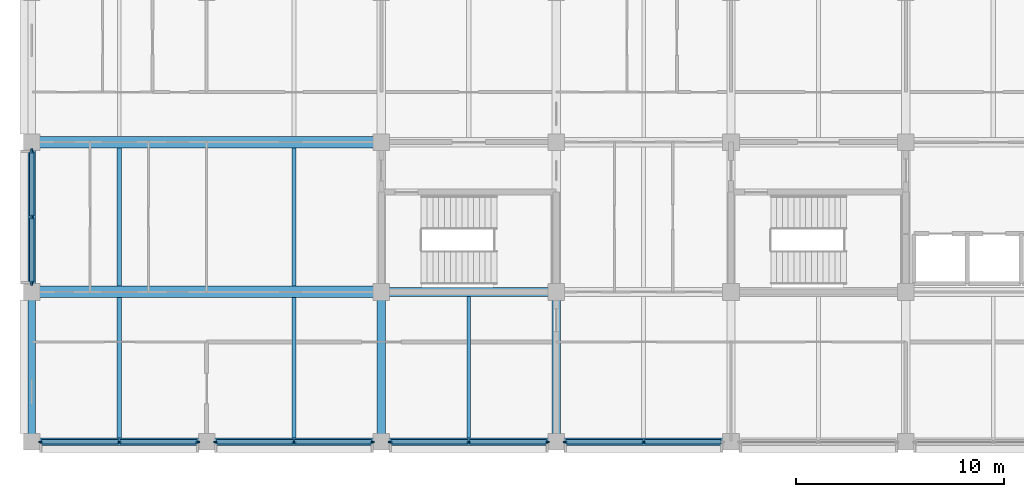
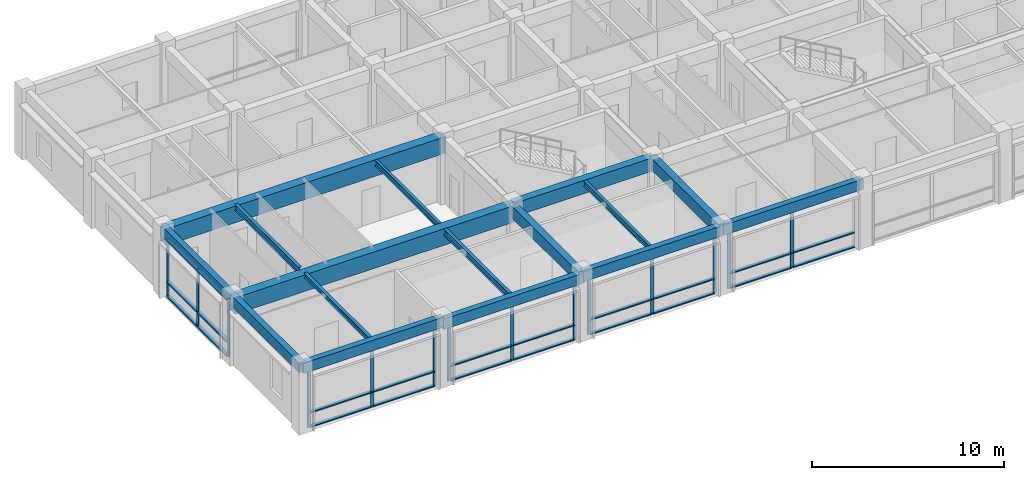
# One storey, part 2 of 30: 44 members, 16 beams, 5 elements without a shape of their own.
"""IFC4 building model written with IfcOpenShell, lengths in metres."""

from ifc_helpers import new_model, si_unit, direction, frame, origin, origin_2d, place, context, subcontext, project, spatial, rectangle, i_section, extrude, material, layer, layer_set, material_profile, profile_set, type_object, element, aggregate, save


model = new_model("IFC4")

# Units and contexts
model_context = context("Model", 3, precision=1e-05, world=origin(), true_north=direction((0.0, 1.0)))
body_context = subcontext(model_context, "Body", "Model", "MODEL_VIEW")
ifc_project = project(units=[si_unit("LENGTHUNIT", "METRE"), si_unit("AREAUNIT", "SQUARE_METRE"), si_unit("VOLUMEUNIT", "CUBIC_METRE"), si_unit("PLANEANGLEUNIT", "RADIAN"), si_unit("MASSUNIT", "GRAM", prefix="KILO")], contexts=[model_context])

# Site, building, storey
site_placement = place(None, origin())
site = spatial("IfcSite", under=ifc_project, at=site_placement, CompositionType="ELEMENT")
building_placement = place(site_placement, origin())
building = spatial("IfcBuilding", under=site, at=building_placement, Name="Chengyuan Square Courthouse", CompositionType="ELEMENT")
storey_placement = place(building_placement, frame((0.0, 0.0, 30.60009765625)))
storey = spatial("IfcBuildingStorey", under=building, at=storey_placement, Name="L07", CompositionType="ELEMENT", Elevation=30.60009765625)

# Beams
ifc_material_1 = material(Name="Concrete C40", Category="concrete")
ifc_material_profile_1 = material_profile(ifc_material_1, rectangle(XDim=0.449951171875, YDim=0.85009765625, at=origin_2d()), Name="RC-BM-450x850")
ifc_profile_set_1 = profile_set([ifc_material_profile_1], Name="Concrete C40")
beam_type_1 = type_object("IfcBeamType", Name="BM-01", PredefinedType="USERDEFINED", material=ifc_profile_set_1)
beam_1_placement = place(storey_placement, frame((42.0, 86.39990234375, 3.81494140625), z_axis=(1.0, 0.0, 0.0), x_axis=(0.0, 1.0, 0.0)))
element("IfcBeam", 1, at=beam_1_placement, inside=storey, type_object=beam_type_1, Name="Girder BM-L07-3592", ObjectType="GIRDER", PredefinedType="USERDEFINED", context=body_context, shape_type="SweptSolid", body=[
    extrude(rectangle(XDim=0.449951171875, YDim=0.85009765625, at=origin_2d()), origin(), (0.0, 0.0, 1.0), 8.39990234375),
])
ifc_material_profile_2 = material_profile(ifc_material_1, rectangle(XDim=0.39990234375, YDim=0.75, at=origin_2d()), Name="RC-BM-400x750")
ifc_profile_set_2 = profile_set([ifc_material_profile_2], Name="Concrete C40")
beam_type_2 = type_object("IfcBeamType", Name="BM-02", PredefinedType="USERDEFINED", material=ifc_profile_set_2)
for number, where, z_axis, x_axis, name in (
    (2, (42.0, 79.199951171875, 3.77490234375), (0.0, 1.0, 0.0), (-1.0, 0.0, 0.0), "Girder BM-L07-3656"),
    (3, (50.39990234375, 79.199951171875, 3.864990234375), (0.0, 1.0, 0.0), (-1.0, 0.0, 0.0), "Girder BM-L07-3660"),
):
    element("IfcBeam", number, at=place(storey_placement, frame(where, z_axis=z_axis, x_axis=x_axis)), inside=storey, type_object=beam_type_2, Name=name, ObjectType="GIRDER", PredefinedType="USERDEFINED", context=body_context, shape_type="SweptSolid", body=[
        extrude(rectangle(XDim=0.39990234375, YDim=0.75, at=origin_2d()), origin(), (0.0, 0.0, 1.0), 7.199951171875),
    ])
ifc_material_profile_3 = material_profile(ifc_material_1, rectangle(XDim=0.35009765625, YDim=0.64990234375, at=origin_2d()), Name="RC-BM-350x650")
ifc_profile_set_3 = profile_set([ifc_material_profile_3], Name="Concrete C40")
beam_type_3 = type_object("IfcBeamType", Name="BM-03", PredefinedType="SPANDREL", material=ifc_profile_set_3)
beam_2_placement = place(storey_placement, frame((25.199951171875, 79.199951171875, 3.974853515625), z_axis=(1.0, 0.0, 0.0), x_axis=(0.0, 1.0, 0.0)))
element("IfcBeam", 4, at=beam_2_placement, inside=storey, type_object=beam_type_3, Name="Girder BM-L07-3577", PredefinedType="SPANDREL", context=body_context, shape_type="SweptSolid", body=[
    extrude(rectangle(XDim=0.35009765625, YDim=0.64990234375, at=origin_2d()), origin(), (0.0, 0.0, 1.0), 8.400146484375),
])
for number, where, z_axis, x_axis, name in (
    (5, (33.60009765625, 79.199951171875, 3.824951171875), (1.0, 0.0, 0.0), (0.0, 1.0, 0.0), "Girder BM-L07-3578"),
    (6, (42.0, 79.199951171875, 3.914794921875), (1.0, 0.0, 0.0), (0.0, 1.0, 0.0), "Girder BM-L07-3579"),
):
    element("IfcBeam", number, at=place(storey_placement, frame(where, z_axis=z_axis, x_axis=x_axis)), inside=storey, type_object=beam_type_3, Name=name, PredefinedType="SPANDREL", context=body_context, shape_type="SweptSolid", body=[
        extrude(rectangle(XDim=0.35009765625, YDim=0.64990234375, at=origin_2d()), origin(), (0.0, 0.0, 1.0), 8.39990234375),
    ])
beam_3_placement = place(storey_placement, frame((50.39990234375, 79.199951171875, 3.914794921875), z_axis=(1.0, 0.0, 0.0), x_axis=(0.0, 1.0, 0.0)))
element("IfcBeam", 7, at=beam_3_placement, inside=storey, type_object=beam_type_3, Name="Girder BM-L07-3580", PredefinedType="SPANDREL", context=body_context, shape_type="SweptSolid", body=[
    extrude(rectangle(XDim=0.35009765625, YDim=0.64990234375, at=origin_2d()), origin(), (0.0, 0.0, 1.0), 8.400146484375),
])
beam_4_placement = place(storey_placement, frame((25.199951171875, 79.199951171875, 3.974853515625), z_axis=(0.0, 1.0, 0.0), x_axis=(-1.0, 0.0, 0.0)))
element("IfcBeam", 8, at=beam_4_placement, inside=storey, type_object=beam_type_3, Name="Girder BM-L07-3651", PredefinedType="SPANDREL", context=body_context, shape_type="SweptSolid", body=[
    extrude(rectangle(XDim=0.35009765625, YDim=0.64990234375, at=origin_2d()), origin(), (0.0, 0.0, 1.0), 7.199951171875),
])
beam_5_placement = place(storey_placement, frame((25.199951171875, 86.39990234375, 3.974853515625), z_axis=(0.0, 1.0, 0.0), x_axis=(-1.0, 0.0, 0.0)))
element("IfcBeam", 9, at=beam_5_placement, inside=storey, type_object=beam_type_3, Name="Girder BM-L07-3652", PredefinedType="SPANDREL", context=body_context, shape_type="SweptSolid", body=[
    extrude(rectangle(XDim=0.35009765625, YDim=0.64990234375, at=origin_2d()), origin(), (0.0, 0.0, 1.0), 7.2001953125),
])
ifc_material_2 = material(Name="Steel Q355B", Category="steel")
ifc_material_profile_4 = material_profile(ifc_material_2, i_section(OverallWidth=0.199951171875, OverallDepth=0.39990234375, WebThickness=0.008056640625, FlangeThickness=0.012939453125, at=origin_2d()), Name="HN 400x200x8x13")
ifc_profile_set_4 = profile_set([ifc_material_profile_4], Name="Steel Q355B")
beam_type_4 = type_object("IfcBeamType", Name="BM-07", PredefinedType="BEAM", material=ifc_profile_set_4)
beam_6_placement = place(storey_placement, frame((29.39990234375, 86.675048828125, 4.099853515625), z_axis=(0.0, 1.0, 0.0), x_axis=(-1.0, 0.0, 0.0)))
element("IfcBeam", 10, at=beam_6_placement, inside=storey, type_object=beam_type_4, Name="Secondary Floor Beam SBM-L07-3715", PredefinedType="BEAM", context=body_context, shape_type="SweptSolid", body=[
    extrude(i_section(OverallWidth=0.199951171875, OverallDepth=0.39990234375, WebThickness=0.008056640625, FlangeThickness=0.012939453125, at=origin_2d()), origin(), (0.0, 0.0, 1.0), 6.64990234375),
])
beam_7_placement = place(storey_placement, frame((37.800048828125, 79.375, 3.949951171875), z_axis=(0.0, 1.0, 0.0), x_axis=(-1.0, 0.0, 0.0)))
element("IfcBeam", 11, at=beam_7_placement, inside=storey, type_object=beam_type_4, Name="Secondary Floor Beam SBM-L07-3718", PredefinedType="BEAM", context=body_context, shape_type="SweptSolid", body=[
    extrude(i_section(OverallWidth=0.199951171875, OverallDepth=0.39990234375, WebThickness=0.008056640625, FlangeThickness=0.012939453125, at=origin_2d()), origin(), (0.0, 0.0, 1.0), 6.75),
])
ifc_material_profile_5 = material_profile(ifc_material_2, i_section(OverallWidth=0.175048828125, OverallDepth=0.35009765625, WebThickness=0.007080078125, FlangeThickness=0.010986328125, at=origin_2d()), Name="HN 350x175x7x11")
ifc_profile_set_5 = profile_set([ifc_material_profile_5], Name="Steel Q355B")
beam_type_5 = type_object("IfcBeamType", Name="BM-08", PredefinedType="BEAM", material=ifc_profile_set_5)
beam_8_placement = place(storey_placement, frame((37.800048828125, 86.675048828125, 3.974853515625), z_axis=(0.0, 1.0, 0.0), x_axis=(-1.0, 0.0, 0.0)))
element("IfcBeam", 12, at=beam_8_placement, inside=storey, type_object=beam_type_5, Name="Secondary Floor Beam SBM-L07-3719", PredefinedType="BEAM", context=body_context, shape_type="SweptSolid", body=[
    extrude(i_section(OverallWidth=0.175048828125, OverallDepth=0.35009765625, WebThickness=0.007080078125, FlangeThickness=0.010986328125, at=origin_2d()), origin(), (0.0, 0.0, 1.0), 6.64990234375),
])
beam_9_placement = place(storey_placement, frame((46.199951171875, 79.375, 4.06494140625), z_axis=(0.0, 1.0, 0.0), x_axis=(-1.0, 0.0, 0.0)))
element("IfcBeam", 13, at=beam_9_placement, inside=storey, type_object=beam_type_5, Name="Secondary Floor Beam SBM-L07-3722", PredefinedType="BEAM", context=body_context, shape_type="SweptSolid", body=[
    extrude(i_section(OverallWidth=0.175048828125, OverallDepth=0.35009765625, WebThickness=0.007080078125, FlangeThickness=0.010986328125, at=origin_2d()), origin(), (0.0, 0.0, 1.0), 6.800048828125),
])
ifc_material_profile_6 = material_profile(ifc_material_2, i_section(OverallWidth=0.199951171875, OverallDepth=0.300048828125, WebThickness=0.008056640625, FlangeThickness=0.011962890625, at=origin_2d()), Name="HM 300x200x8x12")
ifc_profile_set_6 = profile_set([ifc_material_profile_6], Name="Steel Q355B")
beam_type_6 = type_object("IfcBeamType", Name="BM-09", PredefinedType="BEAM", material=ifc_profile_set_6)
beam_10_placement = place(storey_placement, frame((29.39990234375, 79.375, 4.14990234375), z_axis=(0.0, 1.0, 0.0), x_axis=(-1.0, 0.0, 0.0)))
element("IfcBeam", 14, at=beam_10_placement, inside=storey, type_object=beam_type_6, Name="Secondary Floor Beam SBM-L07-3714", PredefinedType="BEAM", context=body_context, shape_type="SweptSolid", body=[
    extrude(i_section(OverallWidth=0.199951171875, OverallDepth=0.300048828125, WebThickness=0.008056640625, FlangeThickness=0.011962890625, at=origin_2d()), origin(), (0.0, 0.0, 1.0), 6.75),
])

# Curtain wall, members
ifc_material_3 = material(Name="Unitised Aluminium and Triple Low-E Glass", Category="aluminium")
ifc_layer_1 = layer(ifc_material_3, 0.199951171875)
ifc_layer_set_1 = layer_set([ifc_layer_1], Name="Unitised Aluminium and Triple Low-E Glass")
curtain_wall_type_1 = type_object("IfcCurtainWallType", Name="CW-19", PredefinedType="USERDEFINED", material=ifc_layer_set_1)
curtain_wall_1_placement = place(storey_placement, origin())
curtain_wall_1 = element("IfcCurtainWall", 15, at=curtain_wall_1_placement, inside=storey, type_object=curtain_wall_type_1, Name="Unitised Curtain Wall CW-L07-201", ObjectType="UNITISED CURTAIN WALL", PredefinedType="USERDEFINED")
ifc_material_4 = material(Name="Aluminium 6063-T6 Frame", Category="aluminium")
ifc_material_profile_7 = material_profile(ifc_material_4, rectangle(XDim=0.070068359375, YDim=0.199951171875, at=origin_2d()), Name="CW-MUL-70x200")
ifc_profile_set_7 = profile_set([ifc_material_profile_7], Name="Aluminium 6063-T6 Frame")
member_type_1 = type_object("IfcMemberType", Name="CWM-03", PredefinedType="MULLION", material=ifc_profile_set_7)
member_1_placement = place(storey_placement, frame((25.635009765625, 79.199951171875, 0.0), z_axis=(0.0, 0.0, 1.0), x_axis=(0.0, 1.0, 0.0)))
member_1 = element("IfcMember", 16, at=member_1_placement, type_object=member_type_1, Name="CW-19 mullion 1", PredefinedType="MULLION", context=body_context, shape_type="SweptSolid", body=[
    extrude(rectangle(XDim=0.070068359375, YDim=0.199951171875, at=origin_2d()), origin(), (0.0, 0.0, 1.0), 3.64990234375),
])
member_2_placement = place(storey_placement, frame((29.39990234375, 79.199951171875, 0.0), z_axis=(0.0, 0.0, 1.0), x_axis=(0.0, 1.0, 0.0)))
member_2 = element("IfcMember", 17, at=member_2_placement, type_object=member_type_1, Name="CW-19 mullion 2", PredefinedType="MULLION", context=body_context, shape_type="SweptSolid", body=[
    extrude(rectangle(XDim=0.070068359375, YDim=0.199951171875, at=origin_2d()), origin(), (0.0, 0.0, 1.0), 3.64990234375),
])
member_3_placement = place(storey_placement, frame((33.1650390625, 79.199951171875, 0.0), z_axis=(0.0, 0.0, 1.0), x_axis=(0.0, 1.0, 0.0)))
member_3 = element("IfcMember", 18, at=member_3_placement, type_object=member_type_1, Name="CW-19 mullion 3", PredefinedType="MULLION", context=body_context, shape_type="SweptSolid", body=[
    extrude(rectangle(XDim=0.070068359375, YDim=0.199951171875, at=origin_2d()), origin(), (0.0, 0.0, 1.0), 3.64990234375),
])

curtain_wall_2_placement = place(storey_placement, origin())
curtain_wall_2 = element("IfcCurtainWall", 19, at=curtain_wall_2_placement, inside=storey, type_object=curtain_wall_type_1, Name="Unitised Curtain Wall CW-L07-203", ObjectType="UNITISED CURTAIN WALL", PredefinedType="USERDEFINED")
member_4_placement = place(storey_placement, frame((34.034912109375, 79.199951171875, 0.0), z_axis=(0.0, 0.0, 1.0), x_axis=(0.0, 1.0, 0.0)))
member_4 = element("IfcMember", 20, at=member_4_placement, type_object=member_type_1, Name="CW-19 mullion 1", PredefinedType="MULLION", context=body_context, shape_type="SweptSolid", body=[
    extrude(rectangle(XDim=0.070068359375, YDim=0.199951171875, at=origin_2d()), origin(), (0.0, 0.0, 1.0), 3.5),
])
member_5_placement = place(storey_placement, frame((37.800048828125, 79.199951171875, 0.0), z_axis=(0.0, 0.0, 1.0), x_axis=(0.0, 1.0, 0.0)))
member_5 = element("IfcMember", 21, at=member_5_placement, type_object=member_type_1, Name="CW-19 mullion 2", PredefinedType="MULLION", context=body_context, shape_type="SweptSolid", body=[
    extrude(rectangle(XDim=0.070068359375, YDim=0.199951171875, at=origin_2d()), origin(), (0.0, 0.0, 1.0), 3.5),
])
member_6_placement = place(storey_placement, frame((41.56494140625, 79.199951171875, 0.0), z_axis=(0.0, 0.0, 1.0), x_axis=(0.0, 1.0, 0.0)))
member_6 = element("IfcMember", 22, at=member_6_placement, type_object=member_type_1, Name="CW-19 mullion 3", PredefinedType="MULLION", context=body_context, shape_type="SweptSolid", body=[
    extrude(rectangle(XDim=0.070068359375, YDim=0.199951171875, at=origin_2d()), origin(), (0.0, 0.0, 1.0), 3.5),
])

curtain_wall_3_placement = place(storey_placement, origin())
curtain_wall_3 = element("IfcCurtainWall", 23, at=curtain_wall_3_placement, inside=storey, type_object=curtain_wall_type_1, Name="Unitised Curtain Wall CW-L07-205", ObjectType="UNITISED CURTAIN WALL", PredefinedType="USERDEFINED")
member_7_placement = place(storey_placement, frame((42.43505859375, 79.199951171875, 0.0), z_axis=(0.0, 0.0, 1.0), x_axis=(0.0, 1.0, 0.0)))
member_7 = element("IfcMember", 24, at=member_7_placement, type_object=member_type_1, Name="CW-19 mullion 1", PredefinedType="MULLION", context=body_context, shape_type="SweptSolid", body=[
    extrude(rectangle(XDim=0.070068359375, YDim=0.199951171875, at=origin_2d()), origin(), (0.0, 0.0, 1.0), 3.58984375),
])
member_8_placement = place(storey_placement, frame((46.199951171875, 79.199951171875, 0.0), z_axis=(0.0, 0.0, 1.0), x_axis=(0.0, 1.0, 0.0)))
member_8 = element("IfcMember", 25, at=member_8_placement, type_object=member_type_1, Name="CW-19 mullion 2", PredefinedType="MULLION", context=body_context, shape_type="SweptSolid", body=[
    extrude(rectangle(XDim=0.070068359375, YDim=0.199951171875, at=origin_2d()), origin(), (0.0, 0.0, 1.0), 3.58984375),
])
member_9_placement = place(storey_placement, frame((49.965087890625, 79.199951171875, 0.0), z_axis=(0.0, 0.0, 1.0), x_axis=(0.0, 1.0, 0.0)))
member_9 = element("IfcMember", 26, at=member_9_placement, type_object=member_type_1, Name="CW-19 mullion 3", PredefinedType="MULLION", context=body_context, shape_type="SweptSolid", body=[
    extrude(rectangle(XDim=0.070068359375, YDim=0.199951171875, at=origin_2d()), origin(), (0.0, 0.0, 1.0), 3.58984375),
])

curtain_wall_4_placement = place(storey_placement, origin())
curtain_wall_4 = element("IfcCurtainWall", 27, at=curtain_wall_4_placement, inside=storey, type_object=curtain_wall_type_1, Name="Unitised Curtain Wall CW-L07-206", ObjectType="UNITISED CURTAIN WALL", PredefinedType="USERDEFINED")
member_10_placement = place(storey_placement, frame((50.8349609375, 79.199951171875, 0.0), z_axis=(0.0, 0.0, 1.0), x_axis=(0.0, 1.0, 0.0)))
member_10 = element("IfcMember", 28, at=member_10_placement, type_object=member_type_1, Name="CW-19 mullion 1", PredefinedType="MULLION", context=body_context, shape_type="SweptSolid", body=[
    extrude(rectangle(XDim=0.070068359375, YDim=0.199951171875, at=origin_2d()), origin(), (0.0, 0.0, 1.0), 3.58984375),
])
member_11_placement = place(storey_placement, frame((54.60009765625, 79.199951171875, 0.0), z_axis=(0.0, 0.0, 1.0), x_axis=(0.0, 1.0, 0.0)))
member_11 = element("IfcMember", 29, at=member_11_placement, type_object=member_type_1, Name="CW-19 mullion 2", PredefinedType="MULLION", context=body_context, shape_type="SweptSolid", body=[
    extrude(rectangle(XDim=0.070068359375, YDim=0.199951171875, at=origin_2d()), origin(), (0.0, 0.0, 1.0), 3.58984375),
])

ifc_layer_2 = layer(ifc_material_3, 0.219970703125)
ifc_layer_set_2 = layer_set([ifc_layer_2], Name="Unitised Aluminium and Triple Low-E Glass")
curtain_wall_type_2 = type_object("IfcCurtainWallType", Name="CW-08", PredefinedType="USERDEFINED", material=ifc_layer_set_2)
curtain_wall_5_placement = place(storey_placement, origin())
curtain_wall_5 = element("IfcCurtainWall", 30, at=curtain_wall_5_placement, inside=storey, type_object=curtain_wall_type_2, Name="Unitised Curtain Wall CW-L07-202", ObjectType="UNITISED CURTAIN WALL", PredefinedType="USERDEFINED")
ifc_material_profile_8 = material_profile(ifc_material_4, rectangle(XDim=0.080078125, YDim=0.219970703125, at=origin_2d()), Name="CW-MUL-80x220")
ifc_profile_set_8 = profile_set([ifc_material_profile_8], Name="Aluminium 6063-T6 Frame")
member_type_2 = type_object("IfcMemberType", Name="CWM-04", PredefinedType="MULLION", material=ifc_profile_set_8)
member_12_placement = place(storey_placement, frame((25.199951171875, 86.840087890625, 0.0), z_axis=(0.0, 0.0, 1.0), x_axis=(-1.0, 0.0, 0.0)))
member_12 = element("IfcMember", 31, at=member_12_placement, type_object=member_type_2, Name="CW-08 mullion 1", PredefinedType="MULLION", context=body_context, shape_type="SweptSolid", body=[
    extrude(rectangle(XDim=0.080078125, YDim=0.219970703125, at=origin_2d()), origin(), (0.0, 0.0, 1.0), 3.64990234375),
])
member_13_placement = place(storey_placement, frame((25.199951171875, 90.0, 0.0), z_axis=(0.0, 0.0, 1.0), x_axis=(-1.0, 0.0, 0.0)))
member_13 = element("IfcMember", 32, at=member_13_placement, type_object=member_type_2, Name="CW-08 mullion 2", PredefinedType="MULLION", context=body_context, shape_type="SweptSolid", body=[
    extrude(rectangle(XDim=0.080078125, YDim=0.219970703125, at=origin_2d()), origin(), (0.0, 0.0, 1.0), 3.64990234375),
])
member_14_placement = place(storey_placement, frame((25.199951171875, 93.159912109375, 0.0), z_axis=(0.0, 0.0, 1.0), x_axis=(-1.0, 0.0, 0.0)))
member_14 = element("IfcMember", 33, at=member_14_placement, type_object=member_type_2, Name="CW-08 mullion 3", PredefinedType="MULLION", context=body_context, shape_type="SweptSolid", body=[
    extrude(rectangle(XDim=0.080078125, YDim=0.219970703125, at=origin_2d()), origin(), (0.0, 0.0, 1.0), 3.64990234375),
])

# Member
ifc_material_profile_9 = material_profile(ifc_material_4, rectangle(XDim=0.199951171875, YDim=0.070068359375, at=origin_2d()), Name="CW-TRN-70x160")
ifc_profile_set_9 = profile_set([ifc_material_profile_9], Name="Aluminium 6063-T6 Frame")
member_type_3 = type_object("IfcMemberType", Name="CWT-03", PredefinedType="USERDEFINED", material=ifc_profile_set_9)
member_15_placement = place(storey_placement, frame((25.669921875, 79.199951171875, 0.034912109375), z_axis=(1.0, 0.0, 0.0), x_axis=(0.0, 1.0, 0.0)))
member_15 = element("IfcMember", 34, at=member_15_placement, type_object=member_type_3, Name="CW-19 transom 1.1", ObjectType="TRANSOM", PredefinedType="USERDEFINED", context=body_context, shape_type="SweptSolid", body=[
    extrude(rectangle(XDim=0.199951171875, YDim=0.070068359375, at=origin_2d()), origin(), (0.0, 0.0, 1.0), 3.695068359375),
])

member_16_placement = place(storey_placement, frame((25.669921875, 79.199951171875, 0.949951171875), z_axis=(1.0, 0.0, 0.0), x_axis=(0.0, 1.0, 0.0)))
member_16 = element("IfcMember", 35, at=member_16_placement, type_object=member_type_3, Name="CW-19 transom 1.2", ObjectType="TRANSOM", PredefinedType="USERDEFINED", context=body_context, shape_type="SweptSolid", body=[
    extrude(rectangle(XDim=0.199951171875, YDim=0.070068359375, at=origin_2d()), origin(), (0.0, 0.0, 1.0), 3.695068359375),
])

member_17_placement = place(storey_placement, frame((25.669921875, 79.199951171875, 3.614990234375), z_axis=(1.0, 0.0, 0.0), x_axis=(0.0, 1.0, 0.0)))
member_17 = element("IfcMember", 36, at=member_17_placement, type_object=member_type_3, Name="CW-19 transom 1.3", ObjectType="TRANSOM", PredefinedType="USERDEFINED", context=body_context, shape_type="SweptSolid", body=[
    extrude(rectangle(XDim=0.199951171875, YDim=0.070068359375, at=origin_2d()), origin(), (0.0, 0.0, 1.0), 3.695068359375),
])

member_18_placement = place(storey_placement, frame((29.43505859375, 79.199951171875, 0.034912109375), z_axis=(1.0, 0.0, 0.0), x_axis=(0.0, 1.0, 0.0)))
member_18 = element("IfcMember", 37, at=member_18_placement, type_object=member_type_3, Name="CW-19 transom 2.1", ObjectType="TRANSOM", PredefinedType="USERDEFINED", context=body_context, shape_type="SweptSolid", body=[
    extrude(rectangle(XDim=0.199951171875, YDim=0.070068359375, at=origin_2d()), origin(), (0.0, 0.0, 1.0), 3.69482421875),
])

member_19_placement = place(storey_placement, frame((29.43505859375, 79.199951171875, 0.949951171875), z_axis=(1.0, 0.0, 0.0), x_axis=(0.0, 1.0, 0.0)))
member_19 = element("IfcMember", 38, at=member_19_placement, type_object=member_type_3, Name="CW-19 transom 2.2", ObjectType="TRANSOM", PredefinedType="USERDEFINED", context=body_context, shape_type="SweptSolid", body=[
    extrude(rectangle(XDim=0.199951171875, YDim=0.070068359375, at=origin_2d()), origin(), (0.0, 0.0, 1.0), 3.69482421875),
])

member_20_placement = place(storey_placement, frame((29.43505859375, 79.199951171875, 3.614990234375), z_axis=(1.0, 0.0, 0.0), x_axis=(0.0, 1.0, 0.0)))
member_20 = element("IfcMember", 39, at=member_20_placement, type_object=member_type_3, Name="CW-19 transom 2.3", ObjectType="TRANSOM", PredefinedType="USERDEFINED", context=body_context, shape_type="SweptSolid", body=[
    extrude(rectangle(XDim=0.199951171875, YDim=0.070068359375, at=origin_2d()), origin(), (0.0, 0.0, 1.0), 3.69482421875),
])

aggregate(curtain_wall_1, [member_1, member_2, member_3, member_15, member_16, member_17, member_18, member_19, member_20])

member_21_placement = place(storey_placement, frame((34.070068359375, 79.199951171875, 0.034912109375), z_axis=(1.0, 0.0, 0.0), x_axis=(0.0, 1.0, 0.0)))
member_21 = element("IfcMember", 40, at=member_21_placement, type_object=member_type_3, Name="CW-19 transom 1.1", ObjectType="TRANSOM", PredefinedType="USERDEFINED", context=body_context, shape_type="SweptSolid", body=[
    extrude(rectangle(XDim=0.199951171875, YDim=0.070068359375, at=origin_2d()), origin(), (0.0, 0.0, 1.0), 3.69482421875),
])

member_22_placement = place(storey_placement, frame((34.070068359375, 79.199951171875, 0.949951171875), z_axis=(1.0, 0.0, 0.0), x_axis=(0.0, 1.0, 0.0)))
member_22 = element("IfcMember", 41, at=member_22_placement, type_object=member_type_3, Name="CW-19 transom 1.2", ObjectType="TRANSOM", PredefinedType="USERDEFINED", context=body_context, shape_type="SweptSolid", body=[
    extrude(rectangle(XDim=0.199951171875, YDim=0.070068359375, at=origin_2d()), origin(), (0.0, 0.0, 1.0), 3.69482421875),
])

member_23_placement = place(storey_placement, frame((34.070068359375, 79.199951171875, 3.46484375), z_axis=(1.0, 0.0, 0.0), x_axis=(0.0, 1.0, 0.0)))
member_23 = element("IfcMember", 42, at=member_23_placement, type_object=member_type_3, Name="CW-19 transom 1.3", ObjectType="TRANSOM", PredefinedType="USERDEFINED", context=body_context, shape_type="SweptSolid", body=[
    extrude(rectangle(XDim=0.199951171875, YDim=0.070068359375, at=origin_2d()), origin(), (0.0, 0.0, 1.0), 3.69482421875),
])

member_24_placement = place(storey_placement, frame((37.8349609375, 79.199951171875, 0.034912109375), z_axis=(1.0, 0.0, 0.0), x_axis=(0.0, 1.0, 0.0)))
member_24 = element("IfcMember", 43, at=member_24_placement, type_object=member_type_3, Name="CW-19 transom 2.1", ObjectType="TRANSOM", PredefinedType="USERDEFINED", context=body_context, shape_type="SweptSolid", body=[
    extrude(rectangle(XDim=0.199951171875, YDim=0.070068359375, at=origin_2d()), origin(), (0.0, 0.0, 1.0), 3.695068359375),
])

member_25_placement = place(storey_placement, frame((37.8349609375, 79.199951171875, 0.949951171875), z_axis=(1.0, 0.0, 0.0), x_axis=(0.0, 1.0, 0.0)))
member_25 = element("IfcMember", 44, at=member_25_placement, type_object=member_type_3, Name="CW-19 transom 2.2", ObjectType="TRANSOM", PredefinedType="USERDEFINED", context=body_context, shape_type="SweptSolid", body=[
    extrude(rectangle(XDim=0.199951171875, YDim=0.070068359375, at=origin_2d()), origin(), (0.0, 0.0, 1.0), 3.695068359375),
])

member_26_placement = place(storey_placement, frame((37.8349609375, 79.199951171875, 3.46484375), z_axis=(1.0, 0.0, 0.0), x_axis=(0.0, 1.0, 0.0)))
member_26 = element("IfcMember", 45, at=member_26_placement, type_object=member_type_3, Name="CW-19 transom 2.3", ObjectType="TRANSOM", PredefinedType="USERDEFINED", context=body_context, shape_type="SweptSolid", body=[
    extrude(rectangle(XDim=0.199951171875, YDim=0.070068359375, at=origin_2d()), origin(), (0.0, 0.0, 1.0), 3.695068359375),
])

aggregate(curtain_wall_2, [member_4, member_5, member_6, member_21, member_22, member_23, member_24, member_25, member_26])

member_27_placement = place(storey_placement, frame((42.469970703125, 79.199951171875, 0.034912109375), z_axis=(1.0, 0.0, 0.0), x_axis=(0.0, 1.0, 0.0)))
member_27 = element("IfcMember", 46, at=member_27_placement, type_object=member_type_3, Name="CW-19 transom 1.1", ObjectType="TRANSOM", PredefinedType="USERDEFINED", context=body_context, shape_type="SweptSolid", body=[
    extrude(rectangle(XDim=0.199951171875, YDim=0.070068359375, at=origin_2d()), origin(), (0.0, 0.0, 1.0), 3.695068359375),
])

member_28_placement = place(storey_placement, frame((42.469970703125, 79.199951171875, 0.949951171875), z_axis=(1.0, 0.0, 0.0), x_axis=(0.0, 1.0, 0.0)))
member_28 = element("IfcMember", 47, at=member_28_placement, type_object=member_type_3, Name="CW-19 transom 1.2", ObjectType="TRANSOM", PredefinedType="USERDEFINED", context=body_context, shape_type="SweptSolid", body=[
    extrude(rectangle(XDim=0.199951171875, YDim=0.070068359375, at=origin_2d()), origin(), (0.0, 0.0, 1.0), 3.695068359375),
])

member_29_placement = place(storey_placement, frame((42.469970703125, 79.199951171875, 3.554931640625), z_axis=(1.0, 0.0, 0.0), x_axis=(0.0, 1.0, 0.0)))
member_29 = element("IfcMember", 48, at=member_29_placement, type_object=member_type_3, Name="CW-19 transom 1.3", ObjectType="TRANSOM", PredefinedType="USERDEFINED", context=body_context, shape_type="SweptSolid", body=[
    extrude(rectangle(XDim=0.199951171875, YDim=0.070068359375, at=origin_2d()), origin(), (0.0, 0.0, 1.0), 3.695068359375),
])

member_30_placement = place(storey_placement, frame((46.235107421875, 79.199951171875, 0.034912109375), z_axis=(1.0, 0.0, 0.0), x_axis=(0.0, 1.0, 0.0)))
member_30 = element("IfcMember", 49, at=member_30_placement, type_object=member_type_3, Name="CW-19 transom 2.1", ObjectType="TRANSOM", PredefinedType="USERDEFINED", context=body_context, shape_type="SweptSolid", body=[
    extrude(rectangle(XDim=0.199951171875, YDim=0.070068359375, at=origin_2d()), origin(), (0.0, 0.0, 1.0), 3.69482421875),
])

member_31_placement = place(storey_placement, frame((46.235107421875, 79.199951171875, 0.949951171875), z_axis=(1.0, 0.0, 0.0), x_axis=(0.0, 1.0, 0.0)))
member_31 = element("IfcMember", 50, at=member_31_placement, type_object=member_type_3, Name="CW-19 transom 2.2", ObjectType="TRANSOM", PredefinedType="USERDEFINED", context=body_context, shape_type="SweptSolid", body=[
    extrude(rectangle(XDim=0.199951171875, YDim=0.070068359375, at=origin_2d()), origin(), (0.0, 0.0, 1.0), 3.69482421875),
])

member_32_placement = place(storey_placement, frame((46.235107421875, 79.199951171875, 3.554931640625), z_axis=(1.0, 0.0, 0.0), x_axis=(0.0, 1.0, 0.0)))
member_32 = element("IfcMember", 51, at=member_32_placement, type_object=member_type_3, Name="CW-19 transom 2.3", ObjectType="TRANSOM", PredefinedType="USERDEFINED", context=body_context, shape_type="SweptSolid", body=[
    extrude(rectangle(XDim=0.199951171875, YDim=0.070068359375, at=origin_2d()), origin(), (0.0, 0.0, 1.0), 3.69482421875),
])

aggregate(curtain_wall_3, [member_7, member_8, member_9, member_27, member_28, member_29, member_30, member_31, member_32])

member_33_placement = place(storey_placement, frame((50.8701171875, 79.199951171875, 0.034912109375), z_axis=(1.0, 0.0, 0.0), x_axis=(0.0, 1.0, 0.0)))
member_33 = element("IfcMember", 52, at=member_33_placement, type_object=member_type_3, Name="CW-19 transom 1.1", ObjectType="TRANSOM", PredefinedType="USERDEFINED", context=body_context, shape_type="SweptSolid", body=[
    extrude(rectangle(XDim=0.199951171875, YDim=0.070068359375, at=origin_2d()), origin(), (0.0, 0.0, 1.0), 3.69482421875),
])

member_34_placement = place(storey_placement, frame((50.8701171875, 79.199951171875, 0.949951171875), z_axis=(1.0, 0.0, 0.0), x_axis=(0.0, 1.0, 0.0)))
member_34 = element("IfcMember", 53, at=member_34_placement, type_object=member_type_3, Name="CW-19 transom 1.2", ObjectType="TRANSOM", PredefinedType="USERDEFINED", context=body_context, shape_type="SweptSolid", body=[
    extrude(rectangle(XDim=0.199951171875, YDim=0.070068359375, at=origin_2d()), origin(), (0.0, 0.0, 1.0), 3.69482421875),
])

member_35_placement = place(storey_placement, frame((50.8701171875, 79.199951171875, 3.554931640625), z_axis=(1.0, 0.0, 0.0), x_axis=(0.0, 1.0, 0.0)))
member_35 = element("IfcMember", 54, at=member_35_placement, type_object=member_type_3, Name="CW-19 transom 1.3", ObjectType="TRANSOM", PredefinedType="USERDEFINED", context=body_context, shape_type="SweptSolid", body=[
    extrude(rectangle(XDim=0.199951171875, YDim=0.070068359375, at=origin_2d()), origin(), (0.0, 0.0, 1.0), 3.69482421875),
])

member_36_placement = place(storey_placement, frame((54.635009765625, 79.199951171875, 0.034912109375), z_axis=(1.0, 0.0, 0.0), x_axis=(0.0, 1.0, 0.0)))
member_36 = element("IfcMember", 55, at=member_36_placement, type_object=member_type_3, Name="CW-19 transom 2.1", ObjectType="TRANSOM", PredefinedType="USERDEFINED", context=body_context, shape_type="SweptSolid", body=[
    extrude(rectangle(XDim=0.199951171875, YDim=0.070068359375, at=origin_2d()), origin(), (0.0, 0.0, 1.0), 3.695068359375),
])

member_37_placement = place(storey_placement, frame((54.635009765625, 79.199951171875, 0.949951171875), z_axis=(1.0, 0.0, 0.0), x_axis=(0.0, 1.0, 0.0)))
member_37 = element("IfcMember", 56, at=member_37_placement, type_object=member_type_3, Name="CW-19 transom 2.2", ObjectType="TRANSOM", PredefinedType="USERDEFINED", context=body_context, shape_type="SweptSolid", body=[
    extrude(rectangle(XDim=0.199951171875, YDim=0.070068359375, at=origin_2d()), origin(), (0.0, 0.0, 1.0), 3.695068359375),
])

member_38_placement = place(storey_placement, frame((54.635009765625, 79.199951171875, 3.554931640625), z_axis=(1.0, 0.0, 0.0), x_axis=(0.0, 1.0, 0.0)))
member_38 = element("IfcMember", 57, at=member_38_placement, type_object=member_type_3, Name="CW-19 transom 2.3", ObjectType="TRANSOM", PredefinedType="USERDEFINED", context=body_context, shape_type="SweptSolid", body=[
    extrude(rectangle(XDim=0.199951171875, YDim=0.070068359375, at=origin_2d()), origin(), (0.0, 0.0, 1.0), 3.695068359375),
])

aggregate(curtain_wall_4, [member_10, member_11, member_33, member_34, member_35, member_36, member_37, member_38])

ifc_material_profile_10 = material_profile(ifc_material_4, rectangle(XDim=0.219970703125, YDim=0.080078125, at=origin_2d()), Name="CW-TRN-80x180")
ifc_profile_set_10 = profile_set([ifc_material_profile_10], Name="Aluminium 6063-T6 Frame")
member_type_4 = type_object("IfcMemberType", Name="CWT-04", PredefinedType="USERDEFINED", material=ifc_profile_set_10)
member_39_placement = place(storey_placement, frame((25.199951171875, 86.8798828125, 0.039794921875), z_axis=(0.0, 1.0, 0.0), x_axis=(-1.0, 0.0, 0.0)))
member_39 = element("IfcMember", 58, at=member_39_placement, type_object=member_type_4, Name="CW-08 transom 1.1", ObjectType="TRANSOM", PredefinedType="USERDEFINED", context=body_context, shape_type="SweptSolid", body=[
    extrude(rectangle(XDim=0.219970703125, YDim=0.080078125, at=origin_2d()), origin(), (0.0, 0.0, 1.0), 3.080078125),
])

member_40_placement = place(storey_placement, frame((25.199951171875, 86.8798828125, 0.949951171875), z_axis=(0.0, 1.0, 0.0), x_axis=(-1.0, 0.0, 0.0)))
member_40 = element("IfcMember", 59, at=member_40_placement, type_object=member_type_4, Name="CW-08 transom 1.2", ObjectType="TRANSOM", PredefinedType="USERDEFINED", context=body_context, shape_type="SweptSolid", body=[
    extrude(rectangle(XDim=0.219970703125, YDim=0.080078125, at=origin_2d()), origin(), (0.0, 0.0, 1.0), 3.080078125),
])

member_41_placement = place(storey_placement, frame((25.199951171875, 86.8798828125, 3.60986328125), z_axis=(0.0, 1.0, 0.0), x_axis=(-1.0, 0.0, 0.0)))
member_41 = element("IfcMember", 60, at=member_41_placement, type_object=member_type_4, Name="CW-08 transom 1.3", ObjectType="TRANSOM", PredefinedType="USERDEFINED", context=body_context, shape_type="SweptSolid", body=[
    extrude(rectangle(XDim=0.219970703125, YDim=0.080078125, at=origin_2d()), origin(), (0.0, 0.0, 1.0), 3.080078125),
])

member_42_placement = place(storey_placement, frame((25.199951171875, 90.0400390625, 0.039794921875), z_axis=(0.0, 1.0, 0.0), x_axis=(-1.0, 0.0, 0.0)))
member_42 = element("IfcMember", 61, at=member_42_placement, type_object=member_type_4, Name="CW-08 transom 2.1", ObjectType="TRANSOM", PredefinedType="USERDEFINED", context=body_context, shape_type="SweptSolid", body=[
    extrude(rectangle(XDim=0.219970703125, YDim=0.080078125, at=origin_2d()), origin(), (0.0, 0.0, 1.0), 3.080078125),
])

member_43_placement = place(storey_placement, frame((25.199951171875, 90.0400390625, 0.949951171875), z_axis=(0.0, 1.0, 0.0), x_axis=(-1.0, 0.0, 0.0)))
member_43 = element("IfcMember", 62, at=member_43_placement, type_object=member_type_4, Name="CW-08 transom 2.2", ObjectType="TRANSOM", PredefinedType="USERDEFINED", context=body_context, shape_type="SweptSolid", body=[
    extrude(rectangle(XDim=0.219970703125, YDim=0.080078125, at=origin_2d()), origin(), (0.0, 0.0, 1.0), 3.080078125),
])

member_44_placement = place(storey_placement, frame((25.199951171875, 90.0400390625, 3.60986328125), z_axis=(0.0, 1.0, 0.0), x_axis=(-1.0, 0.0, 0.0)))
member_44 = element("IfcMember", 63, at=member_44_placement, type_object=member_type_4, Name="CW-08 transom 2.3", ObjectType="TRANSOM", PredefinedType="USERDEFINED", context=body_context, shape_type="SweptSolid", body=[
    extrude(rectangle(XDim=0.219970703125, YDim=0.080078125, at=origin_2d()), origin(), (0.0, 0.0, 1.0), 3.080078125),
])

aggregate(curtain_wall_5, [member_12, member_13, member_14, member_39, member_40, member_41, member_42, member_43, member_44])

# Beams
ifc_material_5 = material(Name="Post-tensioned Concrete C50", Category="concrete")
ifc_material_profile_11 = material_profile(ifc_material_5, rectangle(XDim=0.550048828125, YDim=1.050048828125, at=origin_2d()), Name="PT-BM-550x1050")
ifc_profile_set_11 = profile_set([ifc_material_profile_11], Name="Post-tensioned Concrete C50")
beam_type_7 = type_object("IfcBeamType", Name="PT-01", PredefinedType="USERDEFINED", material=ifc_profile_set_11)
for number, where, z_axis, x_axis, name in (
    (64, (25.199951171875, 86.39990234375, 3.625), (1.0, 0.0, 0.0), (0.0, 1.0, 0.0), "Girder BM-L07-3591"),
    (65, (25.199951171875, 93.60009765625, 3.625), (1.0, 0.0, 0.0), (0.0, 1.0, 0.0), "Girder BM-L07-3603"),
):
    element("IfcBeam", number, at=place(storey_placement, frame(where, z_axis=z_axis, x_axis=x_axis)), inside=storey, type_object=beam_type_7, Name=name, ObjectType="GIRDER", PredefinedType="USERDEFINED", context=body_context, shape_type="SweptSolid", body=[
        extrude(rectangle(XDim=0.550048828125, YDim=1.050048828125, at=origin_2d()), origin(), (0.0, 0.0, 1.0), 16.800048828125),
    ])

save(model, "model.ifc")
